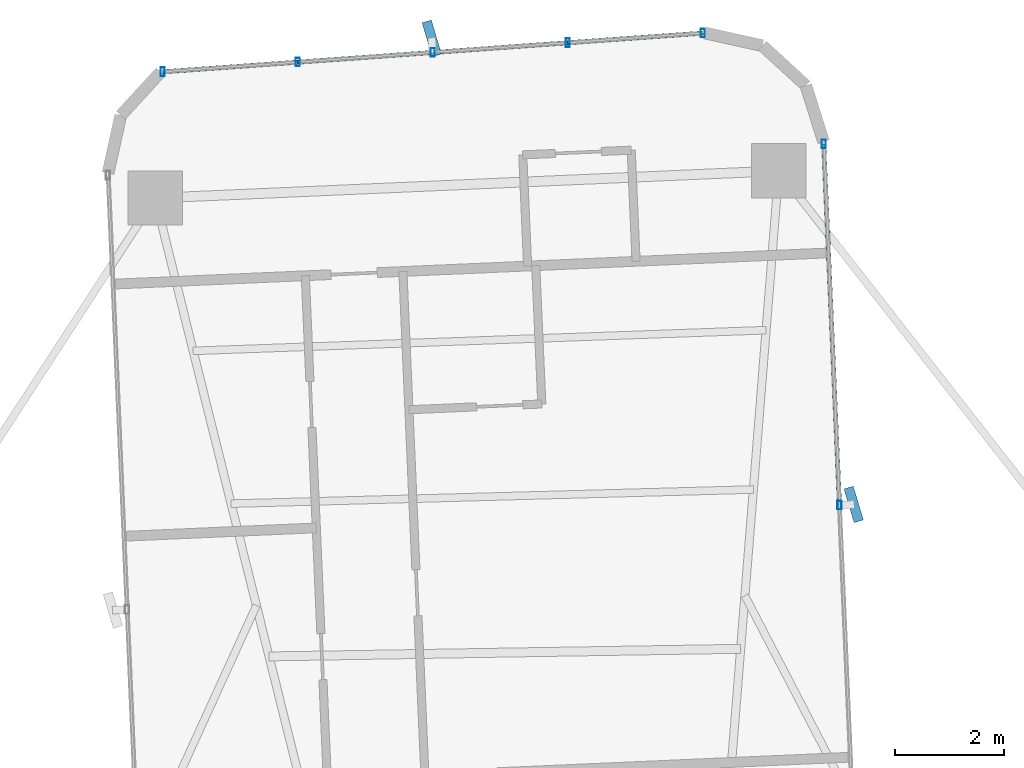
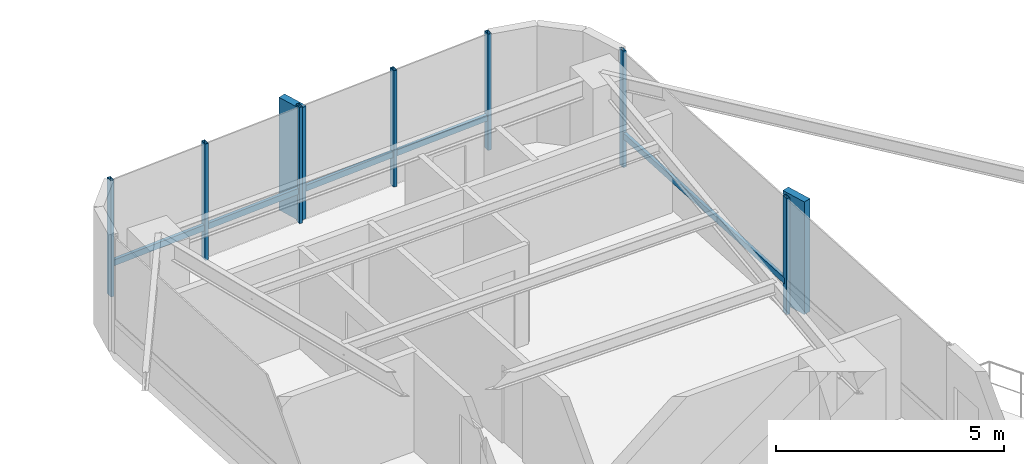
# One storey, part 19 of 26: 14 members, 2 elements without a shape of their own.
"""IFC4 building model written with IfcOpenShell, lengths in metres."""

from ifc_helpers import new_model, si_unit, direction, frame, origin, origin_2d, place, context, subcontext, project, spatial, rectangle, hollow_rectangle, extrude, source, transform, mapped, material, material_profile, profile_set, type_object, element, aggregate, save


model = new_model("IFC4")

# Units and contexts
model_context = context("Model", 3, precision=1e-05, world=origin(), true_north=direction((0.0, 1.0)))
body_context = subcontext(model_context, "Body", "Model", "MODEL_VIEW")
ifc_project = project(units=[si_unit("LENGTHUNIT", "METRE"), si_unit("AREAUNIT", "SQUARE_METRE"), si_unit("VOLUMEUNIT", "CUBIC_METRE"), si_unit("PLANEANGLEUNIT", "RADIAN"), si_unit("MASSUNIT", "GRAM", prefix="KILO")], contexts=[model_context])

# Site, building, storey
site_placement = place(None, origin())
site = spatial("IfcSite", under=ifc_project, at=site_placement, CompositionType="ELEMENT")
building_placement = place(site_placement, origin())
building = spatial("IfcBuilding", under=site, at=building_placement, Name="Sahyath Konkavel Grand Hotel", CompositionType="ELEMENT")
storey_placement = place(building_placement, frame((0.0, 0.0, 114.800048828125)))
storey = spatial("IfcBuildingStorey", under=building, at=storey_placement, Name="L31", CompositionType="ELEMENT", Elevation=114.800048828125)

# Curtain wall, members
ifc_material_1 = material(Name="Anodised Bronze Aluminium & Low-E Glazing", Category="aluminium")
curtain_wall_type = type_object("IfcCurtainWallType", Name="CW-ZONE2", PredefinedType="NOTDEFINED", material=ifc_material_1)
curtain_wall_1_placement = place(storey_placement, origin())
curtain_wall_1 = element("IfcCurtainWall", 1, at=curtain_wall_1_placement, inside=storey, type_object=curtain_wall_type, Name="L31 Unitised Curtain Wall F8", PredefinedType="NOTDEFINED")
ifc_material_2 = material(Name="Anodised Bronze Aluminium", Category="aluminium")
ifc_material_profile_1 = material_profile(ifc_material_2, hollow_rectangle(XDim=0.080078125, YDim=0.159912109375, WallThickness=0.006103515625, at=origin_2d()), Name="RHS 160x80x6")
ifc_profile_set_1 = profile_set([ifc_material_profile_1], Name="Anodised Bronze Aluminium")
member_type_1 = type_object("IfcMemberType", Name="CW-MUL-160", PredefinedType="MULLION", material=ifc_profile_set_1)
shared_shape_1 = source(origin(), body_context, "Body", "SweptSolid", [
    extrude(hollow_rectangle(XDim=0.080078125, YDim=0.159912109375, WallThickness=0.006103515625, at=origin_2d()), origin(), (0.0, 0.0, 1.0), 3.10986328125),
])
member_1_placement = place(storey_placement, frame((5.895751953125, 16.272705078125, 0.0), z_axis=(0.0, 0.0, 1.0), x_axis=(1.0, 0.0, 0.0)))
member_1 = element("IfcMember", 2, at=member_1_placement, type_object=member_type_1, Name="L31 Curtain Wall Mullion F8-1", PredefinedType="MULLION", context=body_context, shape_type="MappedRepresentation", body=[
    mapped(shared_shape_1, transform((0.0, 0.0, 0.0), scale=1.0)),
])
member_2_placement = place(storey_placement, frame((5.605224609375, 22.92626953125, 0.0), z_axis=(0.0, 0.0, 1.0), x_axis=(1.0, 0.0, 0.0)))
member_2 = element("IfcMember", 3, at=member_2_placement, type_object=member_type_1, Name="L31 Curtain Wall Mullion F8-2", PredefinedType="MULLION", context=body_context, shape_type="MappedRepresentation", body=[
    mapped(shared_shape_1, transform((0.0, 0.0, 0.0), scale=1.0)),
])

curtain_wall_2_placement = place(storey_placement, origin())
curtain_wall_2 = element("IfcCurtainWall", 4, at=curtain_wall_2_placement, inside=storey, type_object=curtain_wall_type, Name="L31 Unitised Curtain Wall F12", PredefinedType="NOTDEFINED")
member_3_placement = place(storey_placement, frame((3.3740234375, 24.9697265625, 0.0), z_axis=(0.0, 0.0, 1.0), x_axis=(1.0, 0.0, 0.0)))
member_3 = element("IfcMember", 5, at=member_3_placement, type_object=member_type_1, Name="L31 Curtain Wall Mullion F12-0", PredefinedType="MULLION", context=body_context, shape_type="MappedRepresentation", body=[
    mapped(shared_shape_1, transform((0.0, 0.0, 0.0), scale=1.0)),
])
member_4_placement = place(storey_placement, frame((0.886962890625, 24.79150390625, 0.0), z_axis=(0.0, 0.0, 1.0), x_axis=(1.0, 0.0, 0.0)))
member_4 = element("IfcMember", 6, at=member_4_placement, type_object=member_type_1, Name="L31 Curtain Wall Mullion F12-1", PredefinedType="MULLION", context=body_context, shape_type="MappedRepresentation", body=[
    mapped(shared_shape_1, transform((0.0, 0.0, 0.0), scale=1.0)),
])
member_5_placement = place(storey_placement, frame((-1.60009765625, 24.61279296875, 0.0), z_axis=(0.0, 0.0, 1.0), x_axis=(1.0, 0.0, 0.0)))
member_5 = element("IfcMember", 7, at=member_5_placement, type_object=member_type_1, Name="L31 Curtain Wall Mullion F12-2", PredefinedType="MULLION", context=body_context, shape_type="MappedRepresentation", body=[
    mapped(shared_shape_1, transform((0.0, 0.0, 0.0), scale=1.0)),
])
member_6_placement = place(storey_placement, frame((-4.087158203125, 24.4345703125, 0.0), z_axis=(0.0, 0.0, 1.0), x_axis=(1.0, 0.0, 0.0)))
member_6 = element("IfcMember", 8, at=member_6_placement, type_object=member_type_1, Name="L31 Curtain Wall Mullion F12-3", PredefinedType="MULLION", context=body_context, shape_type="MappedRepresentation", body=[
    mapped(shared_shape_1, transform((0.0, 0.0, 0.0), scale=1.0)),
])
member_7_placement = place(storey_placement, frame((-6.57421875, 24.256103515625, 0.0), z_axis=(0.0, 0.0, 1.0), x_axis=(1.0, 0.0, 0.0)))
member_7 = element("IfcMember", 9, at=member_7_placement, type_object=member_type_1, Name="L31 Curtain Wall Mullion F12-4", PredefinedType="MULLION", context=body_context, shape_type="MappedRepresentation", body=[
    mapped(shared_shape_1, transform((0.0, 0.0, 0.0), scale=1.0)),
])

# Member
ifc_material_3 = material(Name="Warm Buff Sandstone Cladding on Concrete C50/60", Category="masonry")
ifc_material_profile_2 = material_profile(ifc_material_3, rectangle(XDim=0.179931640625, YDim=0.64990234375, at=origin_2d()), Name="FIN 180x650")
ifc_profile_set_2 = profile_set([ifc_material_profile_2], Name="Warm Buff Sandstone Cladding on Concrete C50/60")
member_type_2 = type_object("IfcMemberType", Name="FIN-SANDSTONE-650", PredefinedType="MULLION", material=ifc_profile_set_2)
shared_shape_2 = source(origin(), body_context, "Body", "SweptSolid", [
    extrude(rectangle(XDim=0.179931640625, YDim=0.64990234375, at=origin_2d()), origin(), (0.0, 0.0, 1.0), 3.010009765625),
])
member_8_placement = place(storey_placement, frame((6.155517578125, 16.283935546875, 0.050048828125), z_axis=(0.0, 0.0, 1.0), x_axis=(0.957621645958, 0.288029136015, 0.0)))
member_8 = element("IfcMember", 10, at=member_8_placement, type_object=member_type_2, Name="L31 Sandstone Vertical Solar Fin FIN F8-1", PredefinedType="MULLION", context=body_context, shape_type="MappedRepresentation", body=[
    mapped(shared_shape_2, transform((0.0, 0.0, 0.0), scale=1.0)),
])

member_9_placement = place(storey_placement, frame((-1.61865234375, 24.872314453125, 0.050048828125), z_axis=(0.0, 0.0, 1.0), x_axis=(0.958720536398, 0.28435001862, 0.0)))
member_9 = element("IfcMember", 11, at=member_9_placement, type_object=member_type_2, Name="L31 Sandstone Vertical Solar Fin FIN F12-2", PredefinedType="MULLION", context=body_context, shape_type="MappedRepresentation", body=[
    mapped(shared_shape_2, transform((0.0, 0.0, 0.0), scale=1.0)),
])

ifc_material_profile_3 = material_profile(ifc_material_2, hollow_rectangle(XDim=0.080078125, YDim=0.159912109375, WallThickness=0.006103515625, at=origin_2d()), Name="RHS 160x80x6")
ifc_profile_set_3 = profile_set([ifc_material_profile_3], Name="Anodised Bronze Aluminium")
member_type_3 = type_object("IfcMemberType", Name="CW-TRN-160", PredefinedType="USERDEFINED", material=ifc_profile_set_3)
shared_shape_3 = source(origin(), body_context, "Body", "SweptSolid", [
    extrude(hollow_rectangle(XDim=0.080078125, YDim=0.159912109375, WallThickness=0.006103515625, at=origin_2d()), origin(), (0.0, 0.0, 1.0), 2.493408203125),
])
member_10_placement = place(storey_placement, frame((3.3740234375, 24.9697265625, 0.849853515625), z_axis=(-0.997442271688, -0.071476672066, 0.0), x_axis=(0.071476672066, -0.997442271688, 0.0)))
member_10 = element("IfcMember", 12, at=member_10_placement, type_object=member_type_3, Name="L31 Curtain Wall Transom F12-0-spandrel", ObjectType="TRANSOM", PredefinedType="USERDEFINED", context=body_context, shape_type="MappedRepresentation", body=[
    mapped(shared_shape_3, transform((0.0, 0.0, 0.0), scale=1.0)),
])

member_11_placement = place(storey_placement, frame((0.886962890625, 24.79150390625, 0.849853515625), z_axis=(-0.997428291631, -0.071671494009, 0.0), x_axis=(0.071671494009, -0.997428291631, 0.0)))
member_11 = element("IfcMember", 13, at=member_11_placement, type_object=member_type_3, Name="L31 Curtain Wall Transom F12-1-spandrel", ObjectType="TRANSOM", PredefinedType="USERDEFINED", context=body_context, shape_type="MappedRepresentation", body=[
    mapped(shared_shape_3, transform((0.0, 0.0, 0.0), scale=1.0)),
])

member_12_placement = place(storey_placement, frame((-1.60009765625, 24.61279296875, 0.849853515625), z_axis=(-0.997442271688, -0.071476672066, 0.0), x_axis=(0.071476672066, -0.997442271688, 0.0)))
member_12 = element("IfcMember", 14, at=member_12_placement, type_object=member_type_3, Name="L31 Curtain Wall Transom F12-2-spandrel", ObjectType="TRANSOM", PredefinedType="USERDEFINED", context=body_context, shape_type="MappedRepresentation", body=[
    mapped(shared_shape_3, transform((0.0, 0.0, 0.0), scale=1.0)),
])

member_13_placement = place(storey_placement, frame((-4.087158203125, 24.4345703125, 0.849853515625), z_axis=(-0.997435286367, -0.071574084062, 0.0), x_axis=(0.071574084062, -0.997435286367, 0.0)))
member_13 = element("IfcMember", 15, at=member_13_placement, type_object=member_type_3, Name="L31 Curtain Wall Transom F12-3-spandrel", ObjectType="TRANSOM", PredefinedType="USERDEFINED", context=body_context, shape_type="MappedRepresentation", body=[
    mapped(shared_shape_3, transform((0.0, 0.0, 0.0), scale=1.0)),
])

aggregate(curtain_wall_2, [member_3, member_4, member_5, member_9, member_6, member_7, member_10, member_11, member_12, member_13])

shared_shape_4 = source(origin(), body_context, "Body", "SweptSolid", [
    extrude(hollow_rectangle(XDim=0.080078125, YDim=0.159912109375, WallThickness=0.006103515625, at=origin_2d()), origin(), (0.0, 0.0, 1.0), 6.659912109375),
])
member_14_placement = place(storey_placement, frame((5.895751953125, 16.272705078125, 0.849853515625), z_axis=(-0.043623350741, 0.999048048529, 0.0), x_axis=(-0.999048048529, -0.043623350741, 0.0)))
member_14 = element("IfcMember", 16, at=member_14_placement, type_object=member_type_3, Name="L31 Curtain Wall Transom F8-1-spandrel", ObjectType="TRANSOM", PredefinedType="USERDEFINED", context=body_context, shape_type="MappedRepresentation", body=[
    mapped(shared_shape_4, transform((0.0, 0.0, 0.0), scale=1.0)),
])

aggregate(curtain_wall_1, [member_1, member_8, member_2, member_14])

save(model, "model.ifc")
